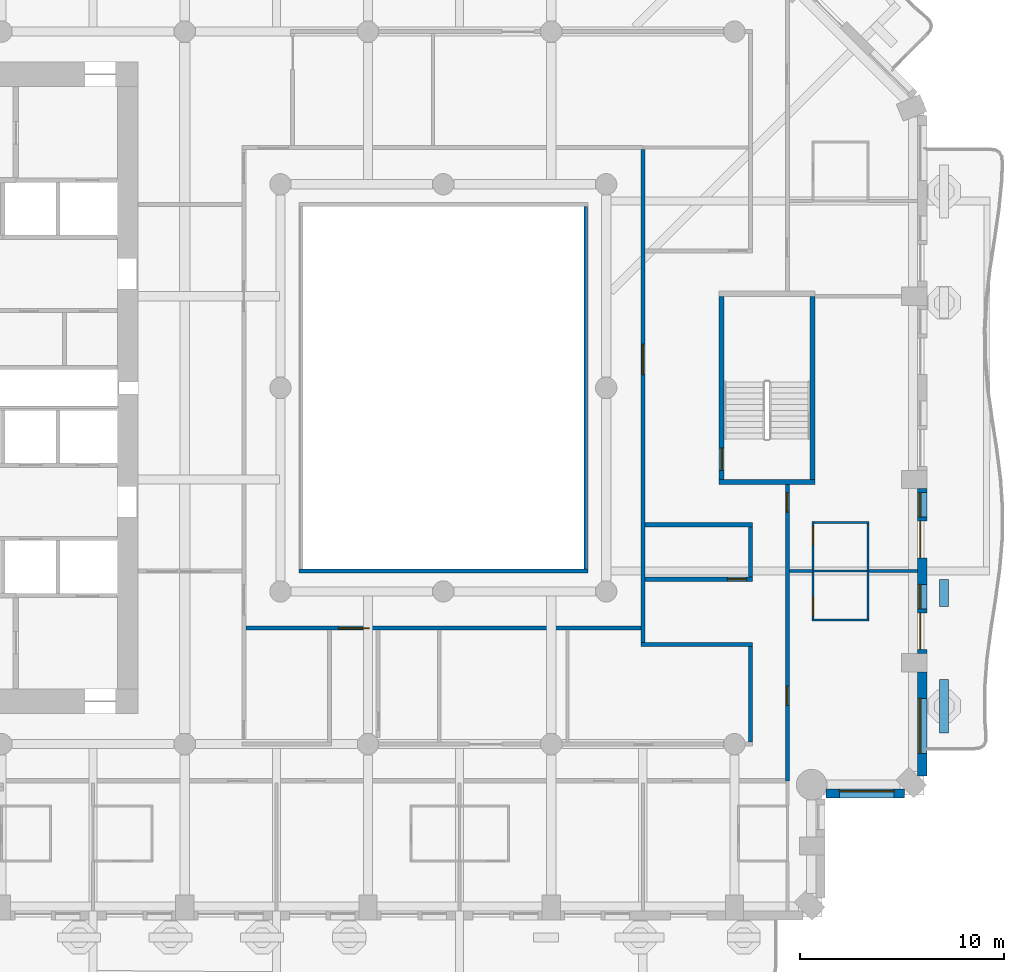
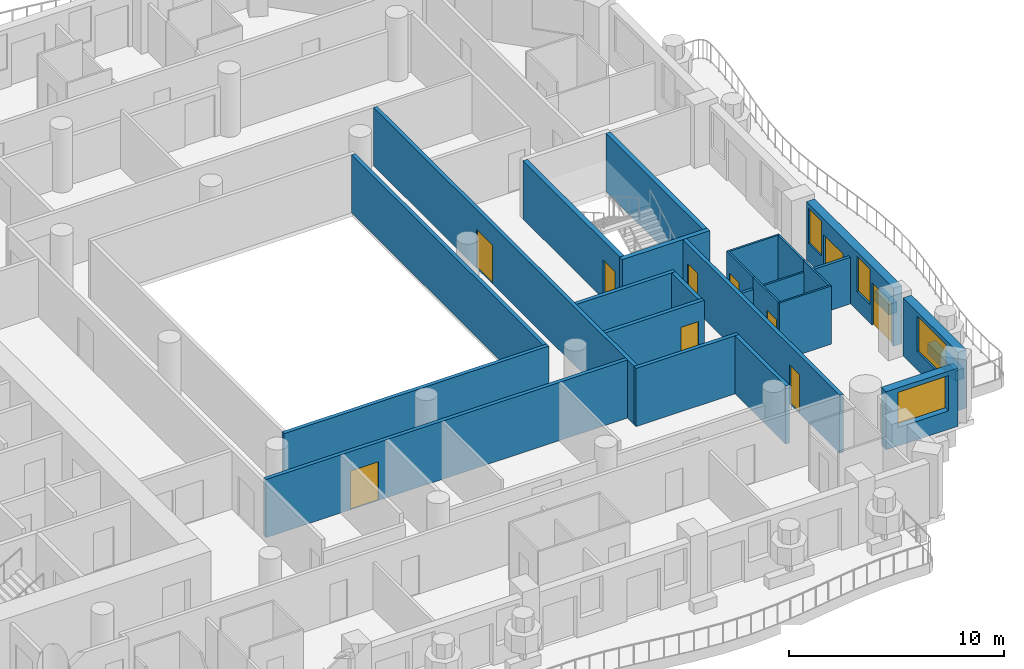
# One storey, part 6 of 21: 27 walls, 10 doors, 4 windows, 14 openings.
"""IFC4 building model written with IfcOpenShell, lengths in metres."""

from ifc_helpers import new_model, si_unit, direction, frame, frame_2d, origin, place, context, subcontext, project, spatial, rectangle, extrude, material, layer, layer_set, type_object, element, fill, save


model = new_model("IFC4")

# Units and contexts
model_context = context("Model", 3, precision=1e-05, world=origin(), true_north=direction((0.0, 1.0)))
body_context = subcontext(model_context, "Body", "Model", "MODEL_VIEW")
ifc_project = project(units=[si_unit("LENGTHUNIT", "METRE"), si_unit("AREAUNIT", "SQUARE_METRE"), si_unit("VOLUMEUNIT", "CUBIC_METRE"), si_unit("PLANEANGLEUNIT", "RADIAN"), si_unit("MASSUNIT", "GRAM", prefix="KILO")], contexts=[model_context])

# Site, building, storey
site_placement = place(None, origin())
site = spatial("IfcSite", under=ifc_project, at=site_placement, CompositionType="ELEMENT")
building_placement = place(site_placement, origin())
building = spatial("IfcBuilding", under=site, at=building_placement, Name="Cypress Arch Tower", CompositionType="ELEMENT")
storey_placement = place(building_placement, frame((0.0, 0.0, 127.5)))
storey = spatial("IfcBuildingStorey", under=building, at=storey_placement, Name="L27", CompositionType="ELEMENT", Elevation=127.5)

# Walls
ifc_material_1 = material(Name="Concrete C40/50, waterproofed", Category="concrete")
ifc_layer_1 = layer(ifc_material_1, 0.449951171875)
ifc_layer_set_1 = layer_set([ifc_layer_1], Name="Balcony planter wall PW450")
wall_type_1 = type_object("IfcWallType", Name="Balcony planter wall PW450", PredefinedType="SOLIDWALL", material=ifc_layer_set_1)
wall_1_placement = place(storey_placement, frame((25.60009765625, -16.949951171875, 0.0), z_axis=(0.0, 0.0, 1.0), x_axis=(0.0, 1.0, 0.0)))
element("IfcWall", 1, at=wall_1_placement, inside=storey, type_object=wall_type_1, Name="Balcony planter wall L27-A06.1", PredefinedType="SOLIDWALL", context=body_context, shape_type="SweptSolid", body=[
    extrude(rectangle(XDim=2.6142578125, YDim=0.449951171875, at=frame_2d((1.30712890625, 0.0))), origin(), (0.0, 0.0, 1.0), 0.60009765625),
])
wall_2_placement = place(storey_placement, frame((25.60009765625, -10.75, 0.0), z_axis=(0.0, 0.0, 1.0), x_axis=(0.0, 1.0, 0.0)))
element("IfcWall", 2, at=wall_2_placement, inside=storey, type_object=wall_type_1, Name="Balcony planter wall L27-A06.2", PredefinedType="SOLIDWALL", context=body_context, shape_type="SweptSolid", body=[
    extrude(rectangle(XDim=1.32861328125, YDim=0.449951171875, at=frame_2d((0.664306640625, 0.0))), origin(), (0.0, 0.0, 1.0), 0.60009765625),
])

# Wall, opening, window
ifc_material_2 = material(Name="Brick (red buff blend)", Category="masonry")
ifc_layer_2 = layer(ifc_material_2, 0.449951171875)
ifc_layer_set_2 = layer_set([ifc_layer_2], Name="Brick pier and spandrel wall BW450")
wall_type_2 = type_object("IfcWallType", Name="Brick pier and spandrel wall BW450", PredefinedType="SOLIDWALL", material=ifc_layer_set_2)
wall_3_placement = place(storey_placement, frame((19.806884765625, -19.925048828125, 0.0), z_axis=(0.0, 0.0, 1.0), x_axis=(1.0, 0.0, 0.0)))
wall_3 = element("IfcWall", 3, at=wall_3_placement, inside=storey, type_object=wall_type_2, Name="Brick wall L27 A05.0", PredefinedType="SOLIDWALL", context=body_context, shape_type="SweptSolid", body=[
    extrude(rectangle(XDim=3.856689453125, YDim=0.449951171875, at=frame_2d((1.92822265625, 0.0))), origin(), (0.0, 0.0, 1.0), 3.300048828125),
])
opening_1_placement = place(wall_3_placement, frame((0.64306640625, 0.0, 1.050048828125)))
opening_1 = element("IfcOpeningElement", 4, at=opening_1_placement, cuts=wall_3, Name="Opening W270H", PredefinedType="OPENING", context=body_context, shape_type="SweptSolid", body=[
    extrude(rectangle(XDim=2.699951171875, YDim=2.0, at=frame_2d((1.35009765625, 1.0))), frame((0.0, 0.23486328125, 0.0), z_axis=(0.0, -1.0, 0.0), x_axis=(1.0, 0.0, 0.0)), (0.0, 0.0, 1.0), 0.469970703125),
])
ifc_material_3 = material(Name="Anodised aluminium, bronze finish, clear low-emissivity double glazing", Category="aluminium")
window_type_1 = type_object("IfcWindowType", Name="Window Hotel 2700x2000", PartitioningType="SINGLE_PANEL", PredefinedType="WINDOW", material=ifc_material_3)
window_1_placement = place(opening_1_placement, origin())
window_1 = element("IfcWindow", 5, at=window_1_placement, inside=storey, type_object=window_type_1, Name="Window L27 A05.0.1", OverallHeight=2.0, OverallWidth=2.699951171875, PartitioningType="SINGLE_PANEL", PredefinedType="WINDOW", context=body_context, shape_type="SweptSolid", body=[
    extrude(rectangle(XDim=2.699951171875, YDim=2.0, at=frame_2d((1.35009765625, 1.0))), frame((0.0, 0.135009765625, 0.0), z_axis=(0.0, -1.0, 0.0), x_axis=(1.0, 0.0, 0.0)), (0.0, 0.0, 1.0), 0.06005859375),
])
fill(opening_1, window_1)

wall_4_placement = place(storey_placement, frame((24.52490234375, -19.063720703125, 0.0), z_axis=(0.0, 0.0, 1.0), x_axis=(0.0, 1.0, 0.0)))
wall_4 = element("IfcWall", 6, at=wall_4_placement, inside=storey, type_object=wall_type_2, Name="Brick wall L27 A06.0", PredefinedType="SOLIDWALL", context=body_context, shape_type="SweptSolid", body=[
    extrude(rectangle(XDim=5.11376953125, YDim=0.449951171875, at=frame_2d((2.556884765625, 0.0))), origin(), (0.0, 0.0, 1.0), 3.300048828125),
])
opening_2_placement = place(wall_4_placement, frame((1.113525390625, 0.0, 1.050048828125)))
opening_2 = element("IfcOpeningElement", 7, at=opening_2_placement, cuts=wall_4, Name="Opening W270HD", PredefinedType="OPENING", context=body_context, shape_type="SweptSolid", body=[
    extrude(rectangle(XDim=2.699951171875, YDim=2.0, at=frame_2d((1.35009765625, 1.0))), frame((0.0, 0.23486328125, 0.0), z_axis=(0.0, -1.0, 0.0), x_axis=(1.0, 0.0, 0.0)), (0.0, 0.0, 1.0), 0.469970703125),
])
ifc_material_4 = material(Name="Anodised aluminium, bronze finish, laminated low-emissivity double glazing, large-missile impact rated", Category="aluminium")
window_type_2 = type_object("IfcWindowType", Name="Window Hotel 2700x2000 debris-rated", PartitioningType="SINGLE_PANEL", PredefinedType="WINDOW", material=ifc_material_4)
window_2_placement = place(opening_2_placement, origin())
window_2 = element("IfcWindow", 8, at=window_2_placement, inside=storey, type_object=window_type_2, Name="Window L27 A06.0.1", OverallHeight=2.0, OverallWidth=2.699951171875, PartitioningType="SINGLE_PANEL", PredefinedType="WINDOW", context=body_context, shape_type="SweptSolid", body=[
    extrude(rectangle(XDim=2.699951171875, YDim=2.0, at=frame_2d((1.35009765625, 1.0))), frame((0.0, 0.135009765625, 0.0), z_axis=(0.0, -1.0, 0.0), x_axis=(1.0, 0.0, 0.0)), (0.0, 0.0, 1.0), 0.06005859375),
])
fill(opening_2, window_2)

# Wall, openings, doors, windows
wall_5_placement = place(storey_placement, frame((24.52490234375, -13.050048828125, 0.0), z_axis=(0.0, 0.0, 1.0), x_axis=(0.0, 1.0, 0.0)))
wall_5 = element("IfcWall", 9, at=wall_5_placement, inside=storey, type_object=wall_type_2, Name="Brick wall L27 A06.1", PredefinedType="SOLIDWALL", context=body_context, shape_type="SweptSolid", body=[
    extrude(rectangle(XDim=8.10009765625, YDim=0.449951171875, at=frame_2d((4.050048828125, 0.0))), origin(), (0.0, 0.0, 1.0), 3.300048828125),
])
opening_3_placement = place(wall_5_placement, frame((0.199951171875, 0.0, 0.0)))
opening_3 = element("IfcOpeningElement", 10, at=opening_3_placement, cuts=wall_5, Name="Opening D-L27-A06.1.1", PredefinedType="OPENING", context=body_context, shape_type="SweptSolid", body=[
    extrude(rectangle(XDim=1.800048828125, YDim=2.39990234375, at=frame_2d((0.89990234375, 1.199951171875))), frame((0.0, 0.23486328125, 0.0), z_axis=(0.0, -1.0, 0.0), x_axis=(1.0, 0.0, 0.0)), (0.0, 0.0, 1.0), 0.469970703125),
])
opening_4_placement = place(wall_5_placement, frame((2.199951171875, 0.0, 1.050048828125)))
opening_4 = element("IfcOpeningElement", 11, at=opening_4_placement, cuts=wall_5, Name="Opening W120HD", PredefinedType="OPENING", context=body_context, shape_type="SweptSolid", body=[
    extrude(rectangle(XDim=1.199951171875, YDim=2.0, at=frame_2d((0.60009765625, 1.0))), frame((0.0, 0.23486328125, 0.0), z_axis=(0.0, -1.0, 0.0), x_axis=(1.0, 0.0, 0.0)), (0.0, 0.0, 1.0), 0.469970703125),
])
opening_5_placement = place(wall_5_placement, frame((4.699951171875, 0.0, 0.0)))
opening_5 = element("IfcOpeningElement", 12, at=opening_5_placement, cuts=wall_5, Name="Opening D-L27-A06.1.2", PredefinedType="OPENING", context=body_context, shape_type="SweptSolid", body=[
    extrude(rectangle(XDim=1.800048828125, YDim=2.39990234375, at=frame_2d((0.89990234375, 1.199951171875))), frame((0.0, 0.23486328125, 0.0), z_axis=(0.0, -1.0, 0.0), x_axis=(1.0, 0.0, 0.0)), (0.0, 0.0, 1.0), 0.469970703125),
])
opening_6_placement = place(wall_5_placement, frame((6.699951171875, 0.0, 1.050048828125)))
opening_6 = element("IfcOpeningElement", 13, at=opening_6_placement, cuts=wall_5, Name="Opening W120HD", PredefinedType="OPENING", context=body_context, shape_type="SweptSolid", body=[
    extrude(rectangle(XDim=1.199951171875, YDim=2.0, at=frame_2d((0.60009765625, 1.0))), frame((0.0, 0.23486328125, 0.0), z_axis=(0.0, -1.0, 0.0), x_axis=(1.0, 0.0, 0.0)), (0.0, 0.0, 1.0), 0.469970703125),
])
ifc_material_5 = material(Name="Anodised aluminium, bronze finish, laminated low-emissivity double glazing, large-missile impact rated", Category="aluminium")
door_type_1 = type_object("IfcDoorType", Name="Balcony sliding door 1800x2400", OperationType="SLIDING_TO_LEFT", PredefinedType="DOOR", material=ifc_material_5)
door_1_placement = place(opening_3_placement, origin())
door_1 = element("IfcDoor", 14, at=door_1_placement, inside=storey, type_object=door_type_1, Name="Balcony door L27 A06.1.1", OperationType="SLIDING_TO_LEFT", OverallHeight=2.39990234375, OverallWidth=1.800048828125, PredefinedType="DOOR", context=body_context, shape_type="SweptSolid", body=[
    extrude(rectangle(XDim=1.800048828125, YDim=2.39990234375, at=frame_2d((0.89990234375, 1.199951171875))), frame((0.0, 0.1298828125, 0.0), z_axis=(0.0, -1.0, 0.0), x_axis=(1.0, 0.0, 0.0)), (0.0, 0.0, 1.0), 0.050048828125),
])
fill(opening_3, door_1)
door_2_placement = place(opening_5_placement, origin())
door_2 = element("IfcDoor", 15, at=door_2_placement, inside=storey, type_object=door_type_1, Name="Balcony door L27 A06.1.2", OperationType="SLIDING_TO_LEFT", OverallHeight=2.39990234375, OverallWidth=1.800048828125, PredefinedType="DOOR", context=body_context, shape_type="SweptSolid", body=[
    extrude(rectangle(XDim=1.800048828125, YDim=2.39990234375, at=frame_2d((0.89990234375, 1.199951171875))), frame((0.0, 0.1298828125, 0.0), z_axis=(0.0, -1.0, 0.0), x_axis=(1.0, 0.0, 0.0)), (0.0, 0.0, 1.0), 0.050048828125),
])
fill(opening_5, door_2)
ifc_material_6 = material(Name="Anodised aluminium, bronze finish, laminated low-emissivity double glazing, large-missile impact rated", Category="aluminium")
window_type_3 = type_object("IfcWindowType", Name="Window Hotel 1200x2000 debris-rated", PartitioningType="SINGLE_PANEL", PredefinedType="WINDOW", material=ifc_material_6)
window_3_placement = place(opening_4_placement, origin())
window_3 = element("IfcWindow", 16, at=window_3_placement, inside=storey, type_object=window_type_3, Name="Window L27 A06.1.1", OverallHeight=2.0, OverallWidth=1.199951171875, PartitioningType="SINGLE_PANEL", PredefinedType="WINDOW", context=body_context, shape_type="SweptSolid", body=[
    extrude(rectangle(XDim=1.199951171875, YDim=2.0, at=frame_2d((0.60009765625, 1.0))), frame((0.0, 0.135009765625, 0.0), z_axis=(0.0, -1.0, 0.0), x_axis=(1.0, 0.0, 0.0)), (0.0, 0.0, 1.0), 0.06005859375),
])
fill(opening_4, window_3)
window_4_placement = place(opening_6_placement, origin())
window_4 = element("IfcWindow", 17, at=window_4_placement, inside=storey, type_object=window_type_3, Name="Window L27 A06.1.2", OverallHeight=2.0, OverallWidth=1.199951171875, PartitioningType="SINGLE_PANEL", PredefinedType="WINDOW", context=body_context, shape_type="SweptSolid", body=[
    extrude(rectangle(XDim=1.199951171875, YDim=2.0, at=frame_2d((0.60009765625, 1.0))), frame((0.0, 0.135009765625, 0.0), z_axis=(0.0, -1.0, 0.0), x_axis=(1.0, 0.0, 0.0)), (0.0, 0.0, 1.0), 0.06005859375),
])
fill(opening_6, window_4)

# Wall, opening, door
ifc_material_7 = material(Name="Concrete blockwork, plastered, rated", Category="masonry")
ifc_layer_3 = layer(ifc_material_7, 0.199951171875)
ifc_layer_set_3 = layer_set([ifc_layer_3], Name="Corridor wall FW200")
wall_type_3 = type_object("IfcWallType", Name="Corridor wall FW200", PredefinedType="PARTITIONING", material=ifc_layer_set_3)
wall_6_placement = place(storey_placement, frame((-8.699951171875, -11.800048828125, 0.0), z_axis=(0.0, 0.0, 1.0), x_axis=(1.0, 0.0, 0.0)))
wall_6 = element("IfcWall", 18, at=wall_6_placement, inside=storey, type_object=wall_type_3, Name="Corridor wall", PredefinedType="PARTITIONING", context=body_context, shape_type="SweptSolid", body=[
    extrude(rectangle(XDim=19.39990234375, YDim=0.199951171875, at=frame_2d((9.699951171875, 0.0))), origin(), (0.0, 0.0, 1.0), 3.300048828125),
])
opening_7_placement = place(wall_6_placement, frame((4.550048828125, 0.0, 0.0)))
opening_7 = element("IfcOpeningElement", 19, at=opening_7_placement, cuts=wall_6, Name="Opening D04", PredefinedType="OPENING", context=body_context, shape_type="SweptSolid", body=[
    extrude(rectangle(XDim=1.5, YDim=2.199951171875, at=frame_2d((0.75, 1.10009765625))), frame((0.0, 0.10986328125, 0.0), z_axis=(0.0, -1.0, 0.0), x_axis=(1.0, 0.0, 0.0)), (0.0, 0.0, 1.0), 0.219970703125),
])
ifc_material_8 = material(Name="Timber double door", Category="wood")
door_type_2 = type_object("IfcDoorType", Name="Double door D04 1500x2200", OperationType="DOUBLE_DOOR_SINGLE_SWING", PredefinedType="DOOR", material=ifc_material_8)
door_3_placement = place(opening_7_placement, origin())
door_3 = element("IfcDoor", 20, at=door_3_placement, inside=storey, type_object=door_type_2, Name="Double door", OperationType="DOUBLE_DOOR_SINGLE_SWING", OverallHeight=2.199951171875, OverallWidth=1.5, PredefinedType="DOOR", context=body_context, shape_type="SweptSolid", body=[
    extrude(rectangle(XDim=1.5, YDim=2.199951171875, at=frame_2d((0.75, 1.10009765625))), frame((0.0, 0.02490234375, 0.0), z_axis=(0.0, -1.0, 0.0), x_axis=(1.0, 0.0, 0.0)), (0.0, 0.0, 1.0), 0.050048828125),
])
fill(opening_7, door_3)

# Walls
wall_7_placement = place(storey_placement, frame((-6.10009765625, -9.0, 0.0), z_axis=(0.0, 0.0, 1.0), x_axis=(1.0, 0.0, 0.0)))
element("IfcWall", 21, at=wall_7_placement, inside=storey, type_object=wall_type_3, Name="Corridor wall", PredefinedType="PARTITIONING", context=body_context, shape_type="SweptSolid", body=[
    extrude(rectangle(XDim=14.2001953125, YDim=0.199951171875, at=frame_2d((7.10009765625, 0.0))), origin(), (0.0, 0.0, 1.0), 3.300048828125),
])
wall_8_placement = place(storey_placement, frame((8.0, -8.89990234375, 0.0), z_axis=(0.0, 0.0, 1.0), x_axis=(0.0, 1.0, 0.0)))
element("IfcWall", 22, at=wall_8_placement, inside=storey, type_object=wall_type_3, Name="Corridor wall", PredefinedType="PARTITIONING", context=body_context, shape_type="SweptSolid", body=[
    extrude(rectangle(XDim=17.7998046875, YDim=0.199951171875, at=frame_2d((8.89990234375, 0.0))), origin(), (0.0, 0.0, 1.0), 3.300048828125),
])

# Wall, opening, door
wall_9_placement = place(storey_placement, frame((10.799072265625, -12.5, 0.0), z_axis=(0.0, 0.0, 1.0), x_axis=(0.0, 1.0, 0.0)))
wall_9 = element("IfcWall", 23, at=wall_9_placement, inside=storey, type_object=wall_type_3, Name="Corridor wall", PredefinedType="PARTITIONING", context=body_context, shape_type="SweptSolid", body=[
    extrude(rectangle(XDim=24.199951171875, YDim=0.199951171875, at=frame_2d((12.10009765625, 0.0))), origin(), (0.0, 0.0, 1.0), 3.300048828125),
])
opening_8_placement = place(wall_9_placement, frame((13.14990234375, 0.0, 0.0)))
opening_8 = element("IfcOpeningElement", 24, at=opening_8_placement, cuts=wall_9, Name="Opening D04", PredefinedType="OPENING", context=body_context, shape_type="SweptSolid", body=[
    extrude(rectangle(XDim=1.5, YDim=2.199951171875, at=frame_2d((0.75, 1.10009765625))), frame((0.0, 0.10986328125, 0.0), z_axis=(0.0, -1.0, 0.0), x_axis=(1.0, 0.0, 0.0)), (0.0, 0.0, 1.0), 0.219970703125),
])
door_4_placement = place(opening_8_placement, origin())
door_4 = element("IfcDoor", 25, at=door_4_placement, inside=storey, type_object=door_type_2, Name="Double door", OperationType="DOUBLE_DOOR_SINGLE_SWING", OverallHeight=2.199951171875, OverallWidth=1.5, PredefinedType="DOOR", context=body_context, shape_type="SweptSolid", body=[
    extrude(rectangle(XDim=1.5, YDim=2.199951171875, at=frame_2d((0.75, 1.10009765625))), frame((0.0, 0.02490234375, 0.0), z_axis=(0.0, -1.0, 0.0), x_axis=(1.0, 0.0, 0.0)), (0.0, 0.0, 1.0), 0.050048828125),
])
fill(opening_8, door_4)

# Wall
wall_10_placement = place(storey_placement, frame((10.698974609375, -12.60009765625, 0.0), z_axis=(0.0, 0.0, 1.0), x_axis=(1.0, 0.0, 0.0)))
element("IfcWall", 26, at=wall_10_placement, inside=storey, type_object=wall_type_3, Name="Corridor wall", PredefinedType="PARTITIONING", context=body_context, shape_type="SweptSolid", body=[
    extrude(rectangle(XDim=5.5009765625, YDim=0.199951171875, at=frame_2d((2.75048828125, 0.0))), origin(), (0.0, 0.0, 1.0), 3.300048828125),
])

# Wall, opening, door
wall_11_placement = place(storey_placement, frame((10.89990234375, -9.39990234375, 0.0), z_axis=(0.0, 0.0, 1.0), x_axis=(1.0, 0.0, 0.0)))
wall_11 = element("IfcWall", 27, at=wall_11_placement, inside=storey, type_object=wall_type_3, Name="Corridor wall", PredefinedType="PARTITIONING", context=body_context, shape_type="SweptSolid", body=[
    extrude(rectangle(XDim=5.300048828125, YDim=0.199951171875, at=frame_2d((2.64990234375, 0.0))), origin(), (0.0, 0.0, 1.0), 3.300048828125),
])
opening_9_placement = place(wall_11_placement, frame((4.050048828125, 0.0, 0.0)))
opening_9 = element("IfcOpeningElement", 28, at=opening_9_placement, cuts=wall_11, Name="Opening D02", PredefinedType="OPENING", context=body_context, shape_type="SweptSolid", body=[
    extrude(rectangle(XDim=0.949951171875, YDim=2.199951171875, at=frame_2d((0.47509765625, 1.10009765625))), frame((0.0, 0.10986328125, 0.0), z_axis=(0.0, -1.0, 0.0), x_axis=(1.0, 0.0, 0.0)), (0.0, 0.0, 1.0), 0.219970703125),
])
ifc_material_9 = material(Name="Timber flush door, fire resisting", Category="wood")
door_type_3 = type_object("IfcDoorType", Name="Room door D02 950x2200", OperationType="SINGLE_SWING_LEFT", PredefinedType="DOOR", material=ifc_material_9)
door_5_placement = place(opening_9_placement, origin())
door_5 = element("IfcDoor", 29, at=door_5_placement, inside=storey, type_object=door_type_3, Name="Room door", OperationType="SINGLE_SWING_RIGHT", OverallHeight=2.199951171875, OverallWidth=0.949951171875, PredefinedType="DOOR", context=body_context, shape_type="SweptSolid", body=[
    extrude(rectangle(XDim=0.949951171875, YDim=2.199951171875, at=frame_2d((0.47509765625, 1.10009765625))), frame((0.0, 0.02490234375, 0.0), z_axis=(0.0, -1.0, 0.0), x_axis=(1.0, 0.0, 0.0)), (0.0, 0.0, 1.0), 0.050048828125),
])
fill(opening_9, door_5)

# Walls
wall_12_placement = place(storey_placement, frame((10.89990234375, -6.72509765625, 0.0), z_axis=(0.0, 0.0, 1.0), x_axis=(1.0, 0.0, 0.0)))
element("IfcWall", 30, at=wall_12_placement, inside=storey, type_object=wall_type_3, Name="Corridor wall", PredefinedType="PARTITIONING", context=body_context, shape_type="SweptSolid", body=[
    extrude(rectangle(XDim=5.300048828125, YDim=0.199951171875, at=frame_2d((2.64990234375, 0.0))), origin(), (0.0, 0.0, 1.0), 3.300048828125),
])
wall_13_placement = place(storey_placement, frame((16.10009765625, -17.39990234375, 0.0), z_axis=(0.0, 0.0, 1.0), x_axis=(0.0, 1.0, 0.0)))
element("IfcWall", 31, at=wall_13_placement, inside=storey, type_object=wall_type_3, Name="Corridor wall", PredefinedType="PARTITIONING", context=body_context, shape_type="SweptSolid", body=[
    extrude(rectangle(XDim=4.699951171875, YDim=0.199951171875, at=frame_2d((2.35009765625, 0.0))), origin(), (0.0, 0.0, 1.0), 3.300048828125),
])
wall_14_placement = place(storey_placement, frame((16.10009765625, -9.300048828125, 0.0), z_axis=(0.0, 0.0, 1.0), x_axis=(0.0, 1.0, 0.0)))
element("IfcWall", 32, at=wall_14_placement, inside=storey, type_object=wall_type_3, Name="Corridor wall", PredefinedType="PARTITIONING", context=body_context, shape_type="SweptSolid", body=[
    extrude(rectangle(XDim=2.47509765625, YDim=0.199951171875, at=frame_2d((1.237548828125, 0.0))), origin(), (0.0, 0.0, 1.0), 3.300048828125),
])

# Wall, openings, doors
wall_15_placement = place(storey_placement, frame((17.89990234375, -19.300048828125, 0.0), z_axis=(0.0, 0.0, 1.0), x_axis=(0.0, 1.0, 0.0)))
wall_15 = element("IfcWall", 33, at=wall_15_placement, inside=storey, type_object=wall_type_3, Name="Corridor wall", PredefinedType="PARTITIONING", context=body_context, shape_type="SweptSolid", body=[
    extrude(rectangle(XDim=14.550048828125, YDim=0.199951171875, at=frame_2d((7.27490234375, 0.0))), origin(), (0.0, 0.0, 1.0), 3.300048828125),
])
opening_10_placement = place(wall_15_placement, frame((3.699951171875, 0.0, 0.0)))
opening_10 = element("IfcOpeningElement", 34, at=opening_10_placement, cuts=wall_15, Name="Opening D02", PredefinedType="OPENING", context=body_context, shape_type="SweptSolid", body=[
    extrude(rectangle(XDim=0.949951171875, YDim=2.199951171875, at=frame_2d((0.47509765625, 1.10009765625))), frame((0.0, 0.10986328125, 0.0), z_axis=(0.0, -1.0, 0.0), x_axis=(1.0, 0.0, 0.0)), (0.0, 0.0, 1.0), 0.219970703125),
])
opening_11_placement = place(wall_15_placement, frame((13.199951171875, 0.0, 0.0)))
opening_11 = element("IfcOpeningElement", 35, at=opening_11_placement, cuts=wall_15, Name="Opening D02", PredefinedType="OPENING", context=body_context, shape_type="SweptSolid", body=[
    extrude(rectangle(XDim=0.949951171875, YDim=2.199951171875, at=frame_2d((0.47509765625, 1.10009765625))), frame((0.0, 0.10986328125, 0.0), z_axis=(0.0, -1.0, 0.0), x_axis=(1.0, 0.0, 0.0)), (0.0, 0.0, 1.0), 0.219970703125),
])
door_6_placement = place(opening_10_placement, origin())
door_6 = element("IfcDoor", 36, at=door_6_placement, inside=storey, type_object=door_type_3, Name="Room door", OperationType="SINGLE_SWING_RIGHT", OverallHeight=2.199951171875, OverallWidth=0.949951171875, PredefinedType="DOOR", context=body_context, shape_type="SweptSolid", body=[
    extrude(rectangle(XDim=0.949951171875, YDim=2.199951171875, at=frame_2d((0.47509765625, 1.10009765625))), frame((0.0, 0.02490234375, 0.0), z_axis=(0.0, -1.0, 0.0), x_axis=(1.0, 0.0, 0.0)), (0.0, 0.0, 1.0), 0.050048828125),
])
fill(opening_10, door_6)
door_7_placement = place(opening_11_placement, origin())
door_7 = element("IfcDoor", 37, at=door_7_placement, inside=storey, type_object=door_type_3, Name="Room door", OperationType="SINGLE_SWING_LEFT", OverallHeight=2.199951171875, OverallWidth=0.949951171875, PredefinedType="DOOR", context=body_context, shape_type="SweptSolid", body=[
    extrude(rectangle(XDim=0.949951171875, YDim=2.199951171875, at=frame_2d((0.47509765625, 1.10009765625))), frame((0.0, 0.02490234375, 0.0), z_axis=(0.0, -1.0, 0.0), x_axis=(1.0, 0.0, 0.0)), (0.0, 0.0, 1.0), 0.050048828125),
])
fill(opening_11, door_7)

# Walls
ifc_material_10 = material(Name="Blockwork, plastered both sides", Category="masonry")
ifc_layer_4 = layer(ifc_material_10, 0.14990234375)
ifc_layer_set_4 = layer_set([ifc_layer_4], Name="Partition PW150")
wall_type_4 = type_object("IfcWallType", Name="Partition PW150", PredefinedType="PARTITIONING", material=ifc_layer_set_4)
wall_16_placement = place(storey_placement, frame((18.0, -9.0, 0.0), z_axis=(0.0, 0.0, 1.0), x_axis=(1.0, 0.0, 0.0)))
element("IfcWall", 38, at=wall_16_placement, inside=storey, type_object=wall_type_4, Name="Partition", PredefinedType="PARTITIONING", context=body_context, shape_type="SweptSolid", body=[
    extrude(rectangle(XDim=1.1298828125, YDim=0.14990234375, at=frame_2d((0.56494140625, 0.0))), origin(), (0.0, 0.0, 1.0), 2.64990234375),
])
wall_17_placement = place(storey_placement, frame((21.8701171875, -9.0, 0.0), z_axis=(0.0, 0.0, 1.0), x_axis=(1.0, 0.0, 0.0)))
element("IfcWall", 39, at=wall_17_placement, inside=storey, type_object=wall_type_4, Name="Partition", PredefinedType="PARTITIONING", context=body_context, shape_type="SweptSolid", body=[
    extrude(rectangle(XDim=2.429931640625, YDim=0.14990234375, at=frame_2d((1.21484375, 0.0))), origin(), (0.0, 0.0, 1.0), 2.64990234375),
])

# Wall, opening, door
ifc_material_11 = material(Name="Concrete C50/60", Category="concrete")
ifc_layer_5 = layer(ifc_material_11, 0.25)
ifc_layer_set_5 = layer_set([ifc_layer_5], Name="Stair enclosure wall SW250")
wall_type_5 = type_object("IfcWallType", Name="Stair enclosure wall SW250", PredefinedType="SHEAR", material=ifc_layer_set_5)
wall_18_placement = place(storey_placement, frame((14.675048828125, -4.5, 0.0), z_axis=(0.0, 0.0, 1.0), x_axis=(0.0, 1.0, 0.0)))
wall_18 = element("IfcWall", 40, at=wall_18_placement, inside=storey, type_object=wall_type_5, Name="Stair enclosure wall", PredefinedType="SHEAR", context=body_context, shape_type="SweptSolid", body=[
    extrude(rectangle(XDim=9.0, YDim=0.25, at=frame_2d((4.5, 0.0))), origin(), (0.0, 0.0, 1.0), 3.300048828125),
])
opening_12_placement = place(wall_18_placement, frame((0.449951171875, 0.0, 0.0)))
opening_12 = element("IfcOpeningElement", 41, at=opening_12_placement, cuts=wall_18, Name="Opening D06", PredefinedType="OPENING", context=body_context, shape_type="SweptSolid", body=[
    extrude(rectangle(XDim=1.10009765625, YDim=2.199951171875, at=frame_2d((0.550048828125, 1.10009765625))), frame((0.0, 0.135009765625, 0.0), z_axis=(0.0, -1.0, 0.0), x_axis=(1.0, 0.0, 0.0)), (0.0, 0.0, 1.0), 0.27001953125),
])
ifc_material_12 = material(Name="Steel door, fire resisting, panic bar", Category="steel")
door_type_4 = type_object("IfcDoorType", Name="Stair door D06 1100x2200", OperationType="SINGLE_SWING_LEFT", PredefinedType="DOOR", material=ifc_material_12)
door_8_placement = place(opening_12_placement, origin())
door_8 = element("IfcDoor", 42, at=door_8_placement, inside=storey, type_object=door_type_4, Name="Stair door", OperationType="SINGLE_SWING_RIGHT", OverallHeight=2.199951171875, OverallWidth=1.10009765625, PredefinedType="DOOR", context=body_context, shape_type="SweptSolid", body=[
    extrude(rectangle(XDim=1.10009765625, YDim=2.199951171875, at=frame_2d((0.550048828125, 1.10009765625))), frame((0.0, 0.02490234375, 0.0), z_axis=(0.0, -1.0, 0.0), x_axis=(1.0, 0.0, 0.0)), (0.0, 0.0, 1.0), 0.050048828125),
])
fill(opening_12, door_8)

# Walls
wall_19_placement = place(storey_placement, frame((14.550048828125, -4.625, 0.0), z_axis=(0.0, 0.0, 1.0), x_axis=(1.0, 0.0, 0.0)))
element("IfcWall", 43, at=wall_19_placement, inside=storey, type_object=wall_type_5, Name="Stair enclosure wall", PredefinedType="SHEAR", context=body_context, shape_type="SweptSolid", body=[
    extrude(rectangle(XDim=4.699951171875, YDim=0.25, at=frame_2d((2.35009765625, 0.0))), origin(), (0.0, 0.0, 1.0), 3.300048828125),
])
wall_20_placement = place(storey_placement, frame((19.125, -4.5, 0.0), z_axis=(0.0, 0.0, 1.0), x_axis=(0.0, 1.0, 0.0)))
element("IfcWall", 44, at=wall_20_placement, inside=storey, type_object=wall_type_5, Name="Stair enclosure wall", PredefinedType="SHEAR", context=body_context, shape_type="SweptSolid", body=[
    extrude(rectangle(XDim=9.0, YDim=0.25, at=frame_2d((4.5, 0.0))), origin(), (0.0, 0.0, 1.0), 3.300048828125),
])
ifc_material_13 = material(Name="Moisture resistant board on steel studs, tiled", Category="steel")
ifc_layer_6 = layer(ifc_material_13, 0.10009765625)
ifc_layer_set_6 = layer_set([ifc_layer_6], Name="Wet wall PW100")
wall_type_6 = type_object("IfcWallType", Name="Wet wall PW100", PredefinedType="PARTITIONING", material=ifc_layer_set_6)
wall_21_placement = place(storey_placement, frame((19.1298828125, -9.0, 0.0), z_axis=(0.0, 0.0, 1.0), x_axis=(1.0, 0.0, 0.0)))
element("IfcWall", 45, at=wall_21_placement, inside=storey, type_object=wall_type_6, Name="Wet wall", PredefinedType="PARTITIONING", context=body_context, shape_type="SweptSolid", body=[
    extrude(rectangle(XDim=2.740234375, YDim=0.10009765625, at=frame_2d((1.3701171875, 0.0))), origin(), (0.0, 0.0, 1.0), 2.64990234375),
])

# Wall, opening, door
wall_22_placement = place(storey_placement, frame((19.14990234375, -11.345947265625, 0.0), z_axis=(0.0, 0.0, 1.0), x_axis=(0.0, 1.0, 0.0)))
wall_22 = element("IfcWall", 46, at=wall_22_placement, inside=storey, type_object=wall_type_6, Name="Wet wall", PredefinedType="PARTITIONING", context=body_context, shape_type="SweptSolid", body=[
    extrude(rectangle(XDim=2.345947265625, YDim=0.10009765625, at=frame_2d((1.1728515625, 0.0))), origin(), (0.0, 0.0, 1.0), 3.300048828125),
])
opening_13_placement = place(wall_22_placement, frame((0.14990234375, 0.0, 0.0)))
opening_13 = element("IfcOpeningElement", 47, at=opening_13_placement, cuts=wall_22, Name="Opening D03", PredefinedType="OPENING", context=body_context, shape_type="SweptSolid", body=[
    extrude(rectangle(XDim=0.89990234375, YDim=2.199951171875, at=frame_2d((0.449951171875, 1.10009765625))), frame((0.0, 0.06005859375, 0.0), z_axis=(0.0, -1.0, 0.0), x_axis=(1.0, 0.0, 0.0)), (0.0, 0.0, 1.0), 0.1201171875),
])
ifc_material_14 = material(Name="Timber flush door, moisture resistant", Category="wood")
door_type_5 = type_object("IfcDoorType", Name="Bathroom door D03 900x2200", OperationType="SINGLE_SWING_LEFT", PredefinedType="DOOR", material=ifc_material_14)
door_9_placement = place(opening_13_placement, origin())
door_9 = element("IfcDoor", 48, at=door_9_placement, inside=storey, type_object=door_type_5, Name="Bathroom door", OperationType="SINGLE_SWING_RIGHT", OverallHeight=2.199951171875, OverallWidth=0.89990234375, PredefinedType="DOOR", context=body_context, shape_type="SweptSolid", body=[
    extrude(rectangle(XDim=0.89990234375, YDim=2.199951171875, at=frame_2d((0.449951171875, 1.10009765625))), frame((0.0, 0.02490234375, 0.0), z_axis=(0.0, -1.0, 0.0), x_axis=(1.0, 0.0, 0.0)), (0.0, 0.0, 1.0), 0.050048828125),
])
fill(opening_13, door_9)

# Wall
wall_23_placement = place(storey_placement, frame((19.10009765625, -11.39599609375, 0.0), z_axis=(0.0, 0.0, 1.0), x_axis=(1.0, 0.0, 0.0)))
element("IfcWall", 49, at=wall_23_placement, inside=storey, type_object=wall_type_6, Name="Wet wall", PredefinedType="PARTITIONING", context=body_context, shape_type="SweptSolid", body=[
    extrude(rectangle(XDim=2.7998046875, YDim=0.10009765625, at=frame_2d((1.39990234375, 0.0))), origin(), (0.0, 0.0, 1.0), 3.300048828125),
])

# Wall, opening, door
wall_24_placement = place(storey_placement, frame((19.14990234375, -9.0, 0.0), z_axis=(0.0, 0.0, 1.0), x_axis=(0.000499051739, 0.999999875474, 0.0)))
wall_24 = element("IfcWall", 50, at=wall_24_placement, inside=storey, type_object=wall_type_6, Name="Wet wall", PredefinedType="PARTITIONING", context=body_context, shape_type="SweptSolid", body=[
    extrude(rectangle(XDim=2.446044921875, YDim=0.10009765625, at=frame_2d((1.22314453125, 0.0))), origin(), (0.0, 0.0, 1.0), 3.300048828125),
])
opening_14_placement = place(wall_24_placement, frame((1.300048828125, 0.0, 0.0)))
opening_14 = element("IfcOpeningElement", 51, at=opening_14_placement, cuts=wall_24, Name="Opening D03", PredefinedType="OPENING", context=body_context, shape_type="SweptSolid", body=[
    extrude(rectangle(XDim=0.89990234375, YDim=2.199951171875, at=frame_2d((0.449951171875, 1.10009765625))), frame((0.0, 0.06005859375, 0.0), z_axis=(0.0, -1.0, 0.0), x_axis=(1.0, 0.0, 0.0)), (0.0, 0.0, 1.0), 0.1201171875),
])
door_10_placement = place(opening_14_placement, origin())
door_10 = element("IfcDoor", 52, at=door_10_placement, inside=storey, type_object=door_type_5, Name="Bathroom door", OperationType="SINGLE_SWING_LEFT", OverallHeight=2.199951171875, OverallWidth=0.89990234375, PredefinedType="DOOR", context=body_context, shape_type="SweptSolid", body=[
    extrude(rectangle(XDim=0.89990234375, YDim=2.199951171875, at=frame_2d((0.449951171875, 1.10009765625))), frame((0.0, 0.02490234375, 0.0), z_axis=(0.0, -1.0, 0.0), x_axis=(1.0, 0.0, 0.0)), (0.0, 0.0, 1.0), 0.050048828125),
])
fill(opening_14, door_10)

# Walls
wall_25_placement = place(storey_placement, frame((19.200927734375, -6.60400390625, 0.0), z_axis=(0.0, 0.0, 1.0), x_axis=(0.999999934588, -0.000361696332, 0.0)))
element("IfcWall", 53, at=wall_25_placement, inside=storey, type_object=wall_type_6, Name="Wet wall", PredefinedType="PARTITIONING", context=body_context, shape_type="SweptSolid", body=[
    extrude(rectangle(XDim=2.699951171875, YDim=0.10009765625, at=frame_2d((1.35009765625, 0.0))), origin(), (0.0, 0.0, 1.0), 3.300048828125),
])
wall_26_placement = place(storey_placement, frame((21.85009765625, -11.345947265625, 0.0), z_axis=(0.0, 0.0, 1.0), x_axis=(0.0, 1.0, 0.0)))
element("IfcWall", 54, at=wall_26_placement, inside=storey, type_object=wall_type_6, Name="Wet wall", PredefinedType="PARTITIONING", context=body_context, shape_type="SweptSolid", body=[
    extrude(rectangle(XDim=2.345947265625, YDim=0.10009765625, at=frame_2d((1.1728515625, 0.0))), origin(), (0.0, 0.0, 1.0), 3.300048828125),
])
wall_27_placement = place(storey_placement, frame((21.85009765625, -9.0, 0.0), z_axis=(0.0, 0.0, 1.0), x_axis=(0.00041644973, 0.999999913285, 0.0)))
element("IfcWall", 55, at=wall_27_placement, inside=storey, type_object=wall_type_6, Name="Wet wall", PredefinedType="PARTITIONING", context=body_context, shape_type="SweptSolid", body=[
    extrude(rectangle(XDim=2.344970703125, YDim=0.10009765625, at=frame_2d((1.17236328125, 0.0))), origin(), (0.0, 0.0, 1.0), 3.300048828125),
])

save(model, "model.ifc")
